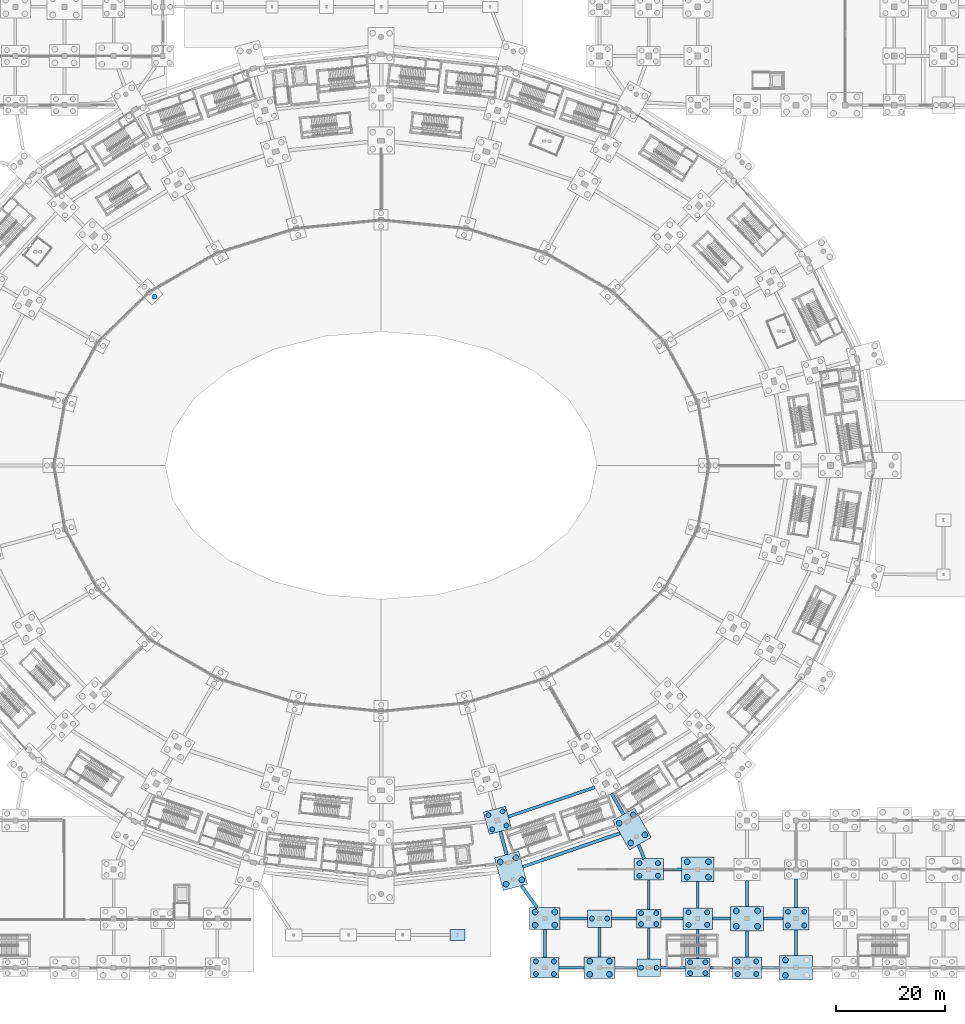
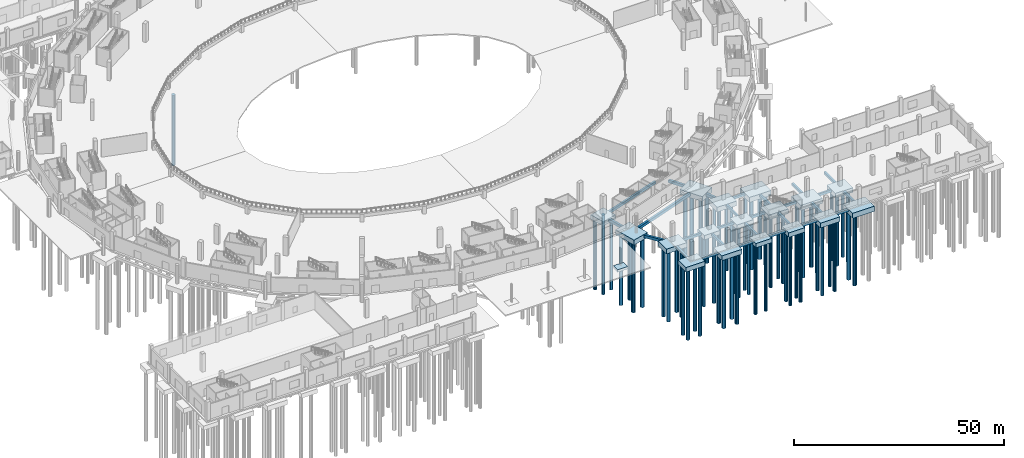
# One storey, part 5 of 103: 63 piles, 45 footings.
"""IFC4 building model written with IfcOpenShell, lengths in metres."""

from ifc_helpers import new_model, si_unit, direction, frame, origin, origin_2d, place, context, subcontext, project, spatial, rectangle, circle, extrude, material, material_profile, profile_set, type_object, element, save


model = new_model("IFC4")

# Units and contexts
model_context = context("Model", 3, precision=1e-05, world=origin(), true_north=direction((0.0, 1.0)))
body_context = subcontext(model_context, "Body", "Model", "MODEL_VIEW")
ifc_project = project(units=[si_unit("LENGTHUNIT", "METRE"), si_unit("AREAUNIT", "SQUARE_METRE"), si_unit("VOLUMEUNIT", "CUBIC_METRE"), si_unit("PLANEANGLEUNIT", "RADIAN"), si_unit("MASSUNIT", "GRAM", prefix="KILO")], contexts=[model_context])

# Site, building, storey
site_placement = place(None, origin())
site = spatial("IfcSite", under=ifc_project, at=site_placement, CompositionType="ELEMENT")
building_placement = place(site_placement, origin())
building = spatial("IfcBuilding", under=site, at=building_placement, Name="Zevraka Park Crest Stadium", CompositionType="ELEMENT")
storey_placement = place(building_placement, origin())
storey = spatial("IfcBuildingStorey", under=building, at=storey_placement, Name="L00", CompositionType="ELEMENT", Elevation=0.0)

# Footings
ifc_material_1 = material(Name="Concrete C35/45", Category="concrete")
ifc_material_profile_1 = material_profile(ifc_material_1, rectangle(XDim=0.60009765625, YDim=0.800048828125, at=origin_2d()), Name="GB 800x600")
ifc_profile_set_1 = profile_set([ifc_material_profile_1], Name="Concrete C35/45")
footing_type_1 = type_object("IfcFootingType", Name="GB01", PredefinedType="FOOTING_BEAM", material=ifc_profile_set_1)
footing_1_placement = place(storey_placement, frame((133.844970703125, 24.965087890625, -0.75), z_axis=(0.258791543435, -0.965933194919, 0.0), x_axis=(0.965933194919, 0.258791543435, 0.0)))
element("IfcFooting", 1, at=footing_1_placement, inside=storey, type_object=footing_type_1, Name="Ground Tie Beam GB01 RAD-CDE-19", PredefinedType="FOOTING_BEAM", context=body_context, shape_type="SweptSolid", body=[
    extrude(rectangle(XDim=0.60009765625, YDim=0.800048828125, at=origin_2d()), origin(), (0.0, 0.0, 1.0), 4.40087890625),
])
footing_2_placement = place(storey_placement, frame((137.965087890625, 18.47509765625, -0.75), z_axis=(0.944853282542, 0.327493930431, 0.0), x_axis=(-0.327493930431, 0.944853282542, 0.0)))
element("IfcFooting", 2, at=footing_2_placement, inside=storey, type_object=footing_type_1, Name="Ground Tie Beam GB01 CIR-DE-19", PredefinedType="FOOTING_BEAM", context=body_context, shape_type="SweptSolid", body=[
    extrude(rectangle(XDim=0.60009765625, YDim=0.800048828125, at=origin_2d()), origin(), (0.0, 0.0, 1.0), 18.809326171875),
])
footing_3_placement = place(storey_placement, frame((154.199951171875, 31.89697265625, -0.75), z_axis=(0.500036278648, -0.866004457284, 0.0), x_axis=(0.866004457284, 0.500036278648, 0.0)))
element("IfcFooting", 3, at=footing_3_placement, inside=storey, type_object=footing_type_1, Name="Ground Tie Beam GB01 RAD-CDE-20", PredefinedType="FOOTING_BEAM", context=body_context, shape_type="SweptSolid", body=[
    extrude(rectangle(XDim=0.60009765625, YDim=0.800048828125, at=origin_2d()), origin(), (0.0, 0.0, 1.0), 4.399658203125),
])
footing_4_placement = place(storey_placement, frame((140.574951171875, 11.0, -0.75), z_axis=(-0.580429579859, 0.814310446221, 0.0), x_axis=(-0.814310446221, -0.580429579859, 0.0)))
element("IfcFooting", 4, at=footing_4_placement, inside=storey, type_object=footing_type_1, Name="Ground Tie Beam GB01 WTIE-16-B", PredefinedType="FOOTING_BEAM", context=body_context, shape_type="SweptSolid", body=[
    extrude(rectangle(XDim=0.60009765625, YDim=0.800048828125, at=origin_2d()), origin(), (0.0, 0.0, 1.0), 4.942626953125),
])
footing_5_placement = place(storey_placement, frame((160.18603515625, 19.97509765625, -0.75), z_axis=(-0.380799074774, 0.92465780949, 0.0), x_axis=(-0.92465780949, -0.380799074774, 0.0)))
element("IfcFooting", 5, at=footing_5_placement, inside=storey, type_object=footing_type_1, Name="Ground Tie Beam GB01 WTIE-18-C", PredefinedType="FOOTING_BEAM", context=body_context, shape_type="SweptSolid", body=[
    extrude(rectangle(XDim=0.60009765625, YDim=0.800048828125, at=origin_2d()), origin(), (0.0, 0.0, 1.0), 2.741455078125),
])
ifc_material_2 = material(Name="Concrete C35/45", Category="concrete")
ifc_material_profile_2 = material_profile(ifc_material_2, rectangle(XDim=0.5, YDim=0.699951171875, at=origin_2d()), Name="GB 700x500")
ifc_profile_set_2 = profile_set([ifc_material_profile_2], Name="Concrete C35/45")
footing_type_2 = type_object("IfcFootingType", Name="GB02", PredefinedType="FOOTING_BEAM", material=ifc_profile_set_2)
footing_6_placement = place(storey_placement, frame((144.60009765625, 0.0, -0.699951171875), z_axis=(1.0, 0.0, 0.0), x_axis=(0.0, 1.0, 0.0)))
element("IfcFooting", 6, at=footing_6_placement, inside=storey, type_object=footing_type_2, Name="Ground Tie Beam GB02 WX-16-A", PredefinedType="FOOTING_BEAM", context=body_context, shape_type="SweptSolid", body=[
    extrude(rectangle(XDim=0.5, YDim=0.699951171875, at=origin_2d()), origin(), (0.0, 0.0, 1.0), 4.599853515625),
])
footing_7_placement = place(storey_placement, frame((142.0, 1.89990234375, -0.699951171875), z_axis=(0.0, 1.0, 0.0), x_axis=(-1.0, 0.0, 0.0)))
element("IfcFooting", 7, at=footing_7_placement, inside=storey, type_object=footing_type_2, Name="Ground Tie Beam GB02 WY-16-A", PredefinedType="FOOTING_BEAM", context=body_context, shape_type="SweptSolid", body=[
    extrude(rectangle(XDim=0.5, YDim=0.699951171875, at=origin_2d()), origin(), (0.0, 0.0, 1.0), 5.10009765625),
])
footing_8_placement = place(storey_placement, frame((144.800048828125, 9.0, -0.699951171875), z_axis=(1.0, 0.0, 0.0), x_axis=(0.0, 1.0, 0.0)))
element("IfcFooting", 8, at=footing_8_placement, inside=storey, type_object=footing_type_2, Name="Ground Tie Beam GB02 WX-16-B", PredefinedType="FOOTING_BEAM", context=body_context, shape_type="SweptSolid", body=[
    extrude(rectangle(XDim=0.5, YDim=0.699951171875, at=origin_2d()), origin(), (0.0, 0.0, 1.0), 5.02490234375),
])
footing_9_placement = place(storey_placement, frame((154.800048828125, 0.0, -0.699951171875), z_axis=(1.0, 0.0, 0.0), x_axis=(0.0, 1.0, 0.0)))
element("IfcFooting", 9, at=footing_9_placement, inside=storey, type_object=footing_type_2, Name="Ground Tie Beam GB02 WX-17-A", PredefinedType="FOOTING_BEAM", context=body_context, shape_type="SweptSolid", body=[
    extrude(rectangle(XDim=0.5, YDim=0.699951171875, at=origin_2d()), origin(), (0.0, 0.0, 1.0), 4.02490234375),
])
footing_10_placement = place(storey_placement, frame((152.0, 2.0, -0.699951171875), z_axis=(0.0, 1.0, 0.0), x_axis=(-1.0, 0.0, 0.0)))
element("IfcFooting", 10, at=footing_10_placement, inside=storey, type_object=footing_type_2, Name="Ground Tie Beam GB02 WY-17-A", PredefinedType="FOOTING_BEAM", context=body_context, shape_type="SweptSolid", body=[
    extrude(rectangle(XDim=0.5, YDim=0.699951171875, at=origin_2d()), origin(), (0.0, 0.0, 1.0), 5.39990234375),
])
for number, where, z_axis, x_axis, name in (
    (11, (154.175048828125, 9.0, -0.699951171875), (1.0, 0.0, 0.0), (0.0, 1.0, 0.0), "Ground Tie Beam GB02 WX-17-B"),
    (12, (163.175048828125, 0.0, -0.699951171875), (1.0, 0.0, 0.0), (0.0, 1.0, 0.0), "Ground Tie Beam GB02 WX-18-A"),
):
    element("IfcFooting", number, at=place(storey_placement, frame(where, z_axis=z_axis, x_axis=x_axis)), inside=storey, type_object=footing_type_2, Name=name, PredefinedType="FOOTING_BEAM", context=body_context, shape_type="SweptSolid", body=[
        extrude(rectangle(XDim=0.5, YDim=0.699951171875, at=origin_2d()), origin(), (0.0, 0.0, 1.0), 4.574951171875),
    ])
footing_11_placement = place(storey_placement, frame((161.0, 1.60009765625, -0.699951171875), z_axis=(0.0, 1.0, 0.0), x_axis=(-1.0, 0.0, 0.0)))
element("IfcFooting", 13, at=footing_11_placement, inside=storey, type_object=footing_type_2, Name="Ground Tie Beam GB02 WY-18-A", PredefinedType="FOOTING_BEAM", context=body_context, shape_type="SweptSolid", body=[
    extrude(rectangle(XDim=0.5, YDim=0.699951171875, at=origin_2d()), origin(), (0.0, 0.0, 1.0), 5.699951171875),
])
footing_12_placement = place(storey_placement, frame((163.25, 9.0, -0.699951171875), z_axis=(1.0, 0.0, 0.0), x_axis=(0.0, 1.0, 0.0)))
element("IfcFooting", 14, at=footing_12_placement, inside=storey, type_object=footing_type_2, Name="Ground Tie Beam GB02 WX-18-B", PredefinedType="FOOTING_BEAM", context=body_context, shape_type="SweptSolid", body=[
    extrude(rectangle(XDim=0.5, YDim=0.699951171875, at=origin_2d()), origin(), (0.0, 0.0, 1.0), 4.074951171875),
])
footing_13_placement = place(storey_placement, frame((161.0, 10.699951171875, -0.699951171875), z_axis=(0.0, 1.0, 0.0), x_axis=(-1.0, 0.0, 0.0)))
element("IfcFooting", 15, at=footing_13_placement, inside=storey, type_object=footing_type_2, Name="Ground Tie Beam GB02 WY-18-B", PredefinedType="FOOTING_BEAM", context=body_context, shape_type="SweptSolid", body=[
    extrude(rectangle(XDim=0.5, YDim=0.699951171875, at=origin_2d()), origin(), (0.0, 0.0, 1.0), 5.324951171875),
])
footing_14_placement = place(storey_placement, frame((163.675048828125, 18.0, -0.699951171875), z_axis=(1.0, 0.0, 0.0), x_axis=(0.0, 1.0, 0.0)))
element("IfcFooting", 16, at=footing_14_placement, inside=storey, type_object=footing_type_2, Name="Ground Tie Beam GB02 WX-18-C", PredefinedType="FOOTING_BEAM", context=body_context, shape_type="SweptSolid", body=[
    extrude(rectangle(XDim=0.5, YDim=0.699951171875, at=origin_2d()), origin(), (0.0, 0.0, 1.0), 3.324951171875),
])
footing_15_placement = place(storey_placement, frame((172.25, 0.0, -0.699951171875), z_axis=(1.0, 0.0, 0.0), x_axis=(0.0, 1.0, 0.0)))
element("IfcFooting", 17, at=footing_15_placement, inside=storey, type_object=footing_type_2, Name="Ground Tie Beam GB02 WX-19-A", PredefinedType="FOOTING_BEAM", context=body_context, shape_type="SweptSolid", body=[
    extrude(rectangle(XDim=0.5, YDim=0.699951171875, at=origin_2d()), origin(), (0.0, 0.0, 1.0), 4.074951171875),
])
footing_16_placement = place(storey_placement, frame((170.0, 1.699951171875, -0.699951171875), z_axis=(0.0, 1.0, 0.0), x_axis=(-1.0, 0.0, 0.0)))
element("IfcFooting", 18, at=footing_16_placement, inside=storey, type_object=footing_type_2, Name="Ground Tie Beam GB02 WY-19-A", PredefinedType="FOOTING_BEAM", context=body_context, shape_type="SweptSolid", body=[
    extrude(rectangle(XDim=0.5, YDim=0.699951171875, at=origin_2d()), origin(), (0.0, 0.0, 1.0), 5.324951171875),
])
footing_17_placement = place(storey_placement, frame((172.675048828125, 9.0, -0.699951171875), z_axis=(1.0, 0.0, 0.0), x_axis=(0.0, 1.0, 0.0)))
element("IfcFooting", 19, at=footing_17_placement, inside=storey, type_object=footing_type_2, Name="Ground Tie Beam GB02 WX-19-B", PredefinedType="FOOTING_BEAM", context=body_context, shape_type="SweptSolid", body=[
    extrude(rectangle(XDim=0.5, YDim=0.699951171875, at=origin_2d()), origin(), (0.0, 0.0, 1.0), 3.324951171875),
])
footing_18_placement = place(storey_placement, frame((170.0, 10.97509765625, -0.699951171875), z_axis=(0.0, 1.0, 0.0), x_axis=(-1.0, 0.0, 0.0)))
element("IfcFooting", 20, at=footing_18_placement, inside=storey, type_object=footing_type_2, Name="Ground Tie Beam GB02 WY-19-B", PredefinedType="FOOTING_BEAM", context=body_context, shape_type="SweptSolid", body=[
    extrude(rectangle(XDim=0.5, YDim=0.699951171875, at=origin_2d()), origin(), (0.0, 0.0, 1.0), 4.77490234375),
])
footing_19_placement = place(storey_placement, frame((181.675048828125, 0.0, -0.699951171875), z_axis=(1.0, 0.0, 0.0), x_axis=(0.0, 1.0, 0.0)))
element("IfcFooting", 21, at=footing_19_placement, inside=storey, type_object=footing_type_2, Name="Ground Tie Beam GB02 WX-20-A", PredefinedType="FOOTING_BEAM", context=body_context, shape_type="SweptSolid", body=[
    extrude(rectangle(XDim=0.5, YDim=0.699951171875, at=origin_2d()), origin(), (0.0, 0.0, 1.0), 3.324951171875),
])
footing_20_placement = place(storey_placement, frame((179.0, 1.97509765625, -0.699951171875), z_axis=(0.0, 1.0, 0.0), x_axis=(-1.0, 0.0, 0.0)))
element("IfcFooting", 22, at=footing_20_placement, inside=storey, type_object=footing_type_2, Name="Ground Tie Beam GB02 WY-20-A", PredefinedType="FOOTING_BEAM", context=body_context, shape_type="SweptSolid", body=[
    extrude(rectangle(XDim=0.5, YDim=0.699951171875, at=origin_2d()), origin(), (0.0, 0.0, 1.0), 4.77490234375),
])
footing_21_placement = place(storey_placement, frame((182.0, 9.0, -0.699951171875), z_axis=(1.0, 0.0, 0.0), x_axis=(0.0, 1.0, 0.0)))
element("IfcFooting", 23, at=footing_21_placement, inside=storey, type_object=footing_type_2, Name="Ground Tie Beam GB02 WX-20-B", PredefinedType="FOOTING_BEAM", context=body_context, shape_type="SweptSolid", body=[
    extrude(rectangle(XDim=0.5, YDim=0.699951171875, at=origin_2d()), origin(), (0.0, 0.0, 1.0), 3.60009765625),
])
for number, where, z_axis, x_axis, name in (
    (24, (179.0, 11.25, -0.699951171875), (0.0, 1.0, 0.0), (-1.0, 0.0, 0.0), "Ground Tie Beam GB02 WY-20-B"),
    (25, (188.0, 2.25, -0.699951171875), (0.0, 1.0, 0.0), (-1.0, 0.0, 0.0), "Ground Tie Beam GB02 WY-21-A"),
):
    element("IfcFooting", number, at=place(storey_placement, frame(where, z_axis=z_axis, x_axis=x_axis)), inside=storey, type_object=footing_type_2, Name=name, PredefinedType="FOOTING_BEAM", context=body_context, shape_type="SweptSolid", body=[
        extrude(rectangle(XDim=0.5, YDim=0.699951171875, at=origin_2d()), origin(), (0.0, 0.0, 1.0), 4.699951171875),
    ])
footing_22_placement = place(storey_placement, frame((188.0, 11.050048828125, -0.699951171875), z_axis=(0.0, 1.0, 0.0), x_axis=(-1.0, 0.0, 0.0)))
element("IfcFooting", 26, at=footing_22_placement, inside=storey, type_object=footing_type_2, Name="Ground Tie Beam GB02 WY-21-B", PredefinedType="FOOTING_BEAM", context=body_context, shape_type="SweptSolid", body=[
    extrude(rectangle(XDim=0.5, YDim=0.699951171875, at=origin_2d()), origin(), (0.0, 0.0, 1.0), 5.175048828125),
])
ifc_material_3 = material(Name="Concrete C35/45", Category="concrete")
ifc_material_profile_3 = material_profile(ifc_material_3, rectangle(XDim=0.550048828125, YDim=0.75, at=origin_2d()), Name="GB 750x550")
ifc_profile_set_3 = profile_set([ifc_material_profile_3], Name="Concrete C35/45")
footing_type_3 = type_object("IfcFootingType", Name="GB04", PredefinedType="FOOTING_BEAM", material=ifc_profile_set_3)
footing_23_placement = place(storey_placement, frame((135.2939453125, 27.66796875, -0.72509765625), z_axis=(0.947145577983, 0.32080407433, 0.0), x_axis=(-0.32080407433, 0.947145577983, 0.0)))
element("IfcFooting", 27, at=footing_23_placement, inside=storey, type_object=footing_type_3, Name="Ground Tie Beam GB04 CIR-C-19", PredefinedType="FOOTING_BEAM", context=body_context, shape_type="SweptSolid", body=[
    extrude(rectangle(XDim=0.550048828125, YDim=0.75, at=origin_2d()), origin(), (0.0, 0.0, 1.0), 16.71142578125),
])
ifc_material_4 = material(Name="Concrete C35/45", Category="concrete")
footing_type_4 = type_object("IfcFootingType", Name="PC05", PredefinedType="PILE_CAP", material=ifc_material_4)
footing_24_placement = place(storey_placement, frame((133.301025390625, 26.992919921875, -1.64990234375), z_axis=(0.0, 0.0, 1.0), x_axis=(-0.258819045103, 0.965925826289, 0.0)))
element("IfcFooting", 28, at=footing_24_placement, inside=storey, type_object=footing_type_4, Name="Foundation PC05 C-19", PredefinedType="PILE_CAP", context=body_context, shape_type="SweptSolid", body=[
    extrude(rectangle(XDim=4.199951171875, YDim=4.199951171875, at=origin_2d()), origin(), (0.0, 0.0, 1.0), 1.300048828125),
])
ifc_material_5 = material(Name="Concrete C35/45", Category="concrete")
footing_type_5 = type_object("IfcFootingType", Name="PC07", PredefinedType="PILE_CAP", material=ifc_material_5)
for number, where, z_axis, x_axis, name in (
    (29, (135.785888671875, 17.719970703125, -1.7998046875), (0.0, 0.0, 1.0), (-0.258819045103, 0.965925826289, 0.0), "Foundation PC07 DE-19"),
    (30, (157.949951171875, 25.402099609375, -1.7998046875), (0.0, 0.0, 1.0), (-0.5, 0.866025403784, 0.0), "Foundation PC07 DE-20"),
):
    element("IfcFooting", number, at=place(storey_placement, frame(where, z_axis=z_axis, x_axis=x_axis)), inside=storey, type_object=footing_type_5, Name=name, PredefinedType="PILE_CAP", context=body_context, shape_type="SweptSolid", body=[
        extrude(rectangle(XDim=6.199951171875, YDim=4.60009765625, at=origin_2d()), origin(), (0.0, 0.0, 1.0), 1.449951171875),
    ])
ifc_material_6 = material(Name="Concrete C35/45", Category="concrete")
footing_type_6 = type_object("IfcFootingType", Name="PC11", PredefinedType="PILE_CAP", material=ifc_material_6)
footing_25_placement = place(storey_placement, frame((142.0, 0.0, -1.699951171875), z_axis=(0.0, 0.0, 1.0), x_axis=(1.0, 0.0, 0.0)))
element("IfcFooting", 31, at=footing_25_placement, inside=storey, type_object=footing_type_6, Name="Foundation PC11 W-16-A", PredefinedType="PILE_CAP", context=body_context, shape_type="SweptSolid", body=[
    extrude(rectangle(XDim=5.199951171875, YDim=3.800048828125, at=origin_2d()), origin(), (0.0, 0.0, 1.0), 1.35009765625),
])
ifc_material_7 = material(Name="Concrete C35/45", Category="concrete")
footing_type_7 = type_object("IfcFootingType", Name="PC12", PredefinedType="PILE_CAP", material=ifc_material_7)
for number, where, z_axis, x_axis, name in (
    (32, (142.0, 9.0, -1.75), (0.0, 0.0, 1.0), (1.0, 0.0, 0.0), "Foundation PC12 W-16-B"),
    (33, (152.0, 0.0, -1.75), (0.0, 0.0, 1.0), (1.0, 0.0, 0.0), "Foundation PC12 W-17-A"),
):
    element("IfcFooting", number, at=place(storey_placement, frame(where, z_axis=z_axis, x_axis=x_axis)), inside=storey, type_object=footing_type_7, Name=name, PredefinedType="PILE_CAP", context=body_context, shape_type="SweptSolid", body=[
        extrude(rectangle(XDim=5.60009765625, YDim=4.0, at=origin_2d()), origin(), (0.0, 0.0, 1.0), 1.39990234375),
    ])
ifc_material_8 = material(Name="Concrete C35/45", Category="concrete")
footing_type_8 = type_object("IfcFootingType", Name="PC16", PredefinedType="PILE_CAP", material=ifc_material_8)
for number, where, z_axis, x_axis, name in (
    (34, (152.0, 9.0, -1.60009765625), (0.0, 0.0, 1.0), (1.0, 0.0, 0.0), "Foundation PC16 W-17-B"),
    (35, (161.0, 0.0, -1.60009765625), (0.0, 0.0, 1.0), (1.0, 0.0, 0.0), "Foundation PC16 W-18-A"),
):
    element("IfcFooting", number, at=place(storey_placement, frame(where, z_axis=z_axis, x_axis=x_axis)), inside=storey, type_object=footing_type_8, Name=name, PredefinedType="PILE_CAP", context=body_context, shape_type="SweptSolid", body=[
        extrude(rectangle(XDim=4.35009765625, YDim=3.199951171875, at=origin_2d()), origin(), (0.0, 0.0, 1.0), 1.25),
    ])
ifc_material_9 = material(Name="Concrete C35/45", Category="concrete")
footing_type_9 = type_object("IfcFootingType", Name="PC17", PredefinedType="PILE_CAP", material=ifc_material_9)
for number, where, z_axis, x_axis, name in (
    (36, (161.0, 9.0, -1.64990234375), (0.0, 0.0, 1.0), (1.0, 0.0, 0.0), "Foundation PC17 W-18-B"),
    (37, (170.0, 0.0, -1.64990234375), (0.0, 0.0, 1.0), (1.0, 0.0, 0.0), "Foundation PC17 W-19-A"),
):
    element("IfcFooting", number, at=place(storey_placement, frame(where, z_axis=z_axis, x_axis=x_axis)), inside=storey, type_object=footing_type_9, Name=name, PredefinedType="PILE_CAP", context=body_context, shape_type="SweptSolid", body=[
        extrude(rectangle(XDim=4.5, YDim=3.39990234375, at=origin_2d()), origin(), (0.0, 0.0, 1.0), 1.300048828125),
    ])
ifc_material_10 = material(Name="Concrete C35/45", Category="concrete")
footing_type_10 = type_object("IfcFootingType", Name="PC18", PredefinedType="PILE_CAP", material=ifc_material_10)
for number, where, z_axis, x_axis, name in (
    (38, (161.0, 18.0, -1.72998046875), (0.0, 0.0, 1.0), (1.0, 0.0, 0.0), "Foundation PC18 W-18-C"),
    (39, (170.0, 9.0, -1.72998046875), (0.0, 0.0, 1.0), (1.0, 0.0, 0.0), "Foundation PC18 W-19-B"),
    (40, (179.0, 0.0, -1.72998046875), (0.0, 0.0, 1.0), (1.0, 0.0, 0.0), "Foundation PC18 W-20-A"),
):
    element("IfcFooting", number, at=place(storey_placement, frame(where, z_axis=z_axis, x_axis=x_axis)), inside=storey, type_object=footing_type_10, Name=name, PredefinedType="PILE_CAP", context=body_context, shape_type="SweptSolid", body=[
        extrude(rectangle(XDim=5.35009765625, YDim=3.949951171875, at=origin_2d()), origin(), (0.0, 0.0, 1.0), 1.3798828125),
    ])
ifc_material_11 = material(Name="Concrete C35/45", Category="concrete")
footing_type_11 = type_object("IfcFootingType", Name="PC19", PredefinedType="PILE_CAP", material=ifc_material_11)
for number, where, z_axis, x_axis, name in (
    (41, (170.0, 18.0, -1.830078125), (0.0, 0.0, 1.0), (1.0, 0.0, 0.0), "Foundation PC19 W-19-C"),
    (42, (179.0, 9.0, -1.830078125), (0.0, 0.0, 1.0), (1.0, 0.0, 0.0), "Foundation PC19 W-20-B"),
    (43, (188.0, 0.0, -1.830078125), (0.0, 0.0, 1.0), (1.0, 0.0, 0.0), "Foundation PC19 W-21-A"),
):
    element("IfcFooting", number, at=place(storey_placement, frame(where, z_axis=z_axis, x_axis=x_axis)), inside=storey, type_object=footing_type_11, Name=name, PredefinedType="PILE_CAP", context=body_context, shape_type="SweptSolid", body=[
        extrude(rectangle(XDim=6.0, YDim=4.5, at=origin_2d()), origin(), (0.0, 0.0, 1.0), 1.47998046875),
    ])
ifc_material_12 = material(Name="Concrete C35/45", Category="concrete")
footing_type_12 = type_object("IfcFootingType", Name="PC20", PredefinedType="PILE_CAP", material=ifc_material_12)
footing_26_placement = place(storey_placement, frame((188.0, 9.0, -1.699951171875), z_axis=(0.0, 0.0, 1.0), x_axis=(1.0, 0.0, 0.0)))
element("IfcFooting", 44, at=footing_26_placement, inside=storey, type_object=footing_type_12, Name="Foundation PC20 W-21-B", PredefinedType="PILE_CAP", context=body_context, shape_type="SweptSolid", body=[
    extrude(rectangle(XDim=4.800048828125, YDim=4.10009765625, at=origin_2d()), origin(), (0.0, 0.0, 1.0), 1.35009765625),
])
ifc_material_13 = material(Name="Concrete C35/45", Category="concrete")
footing_type_13 = type_object("IfcFootingType", Name="PF03", PredefinedType="PAD_FOOTING", material=ifc_material_13)
footing_27_placement = place(storey_placement, frame((126.0, 6.0, -0.75), z_axis=(0.0, 0.0, 1.0), x_axis=(1.0, 0.0, 0.0)))
element("IfcFooting", 45, at=footing_27_placement, inside=storey, type_object=footing_type_13, Name="Foundation PF03 PAD-S4", PredefinedType="PAD_FOOTING", context=body_context, shape_type="SweptSolid", body=[
    extrude(rectangle(XDim=2.800048828125, YDim=2.0, at=origin_2d()), origin(), (0.0, 0.0, 1.0), 0.75),
])

# Piles
ifc_material_14 = material(Name="Concrete C35/45", Category="concrete")
ifc_material_profile_4 = material_profile(ifc_material_14, circle(Radius=0.449951171875, at=origin_2d()), Name="PILE D900")
ifc_profile_set_4 = profile_set([ifc_material_profile_4], Name="Concrete C35/45")
pile_type_1 = type_object("IfcPileType", Name="PL01", PredefinedType="BORED", material=ifc_profile_set_4)
pile_placement = place(storey_placement, frame((70.492919921875, 122.90087890625, -1.5), z_axis=(0.0, 0.0, -1.0), x_axis=(1.0, 0.0, 0.0)))
element("IfcPile", 46, at=pile_placement, inside=storey, type_object=pile_type_1, Name="Bored Pile PL01 A-09-1", PredefinedType="BORED", context=body_context, shape_type="SweptSolid", body=[
    extrude(circle(Radius=0.449951171875, at=origin_2d()), origin(), (0.0, 0.0, 1.0), 20.5),
])
for number, where, z_axis, x_axis, name in (
    (47, (134.9541015625, 26.0380859375, -1.550048828125), (0.0, 0.0, -1.0), (1.0, 0.0, 0.0), "Bored Pile PL01 C-19-1"),
    (48, (134.256103515625, 28.64599609375, -1.550048828125), (0.0, 0.0, -1.0), (1.0, 0.0, 0.0), "Bored Pile PL01 C-19-2"),
    (49, (132.345947265625, 25.340087890625, -1.550048828125), (0.0, 0.0, -1.0), (1.0, 0.0, 0.0), "Bored Pile PL01 C-19-3"),
    (50, (131.64794921875, 27.947998046875, -1.550048828125), (0.0, 0.0, -1.0), (1.0, 0.0, 0.0), "Bored Pile PL01 C-19-4"),
):
    element("IfcPile", number, at=place(storey_placement, frame(where, z_axis=z_axis, x_axis=x_axis)), inside=storey, type_object=pile_type_1, Name=name, PredefinedType="BORED", context=body_context, shape_type="SweptSolid", body=[
        extrude(circle(Radius=0.449951171875, at=origin_2d()), origin(), (0.0, 0.0, 1.0), 20.449951171875),
    ])
for number, where, z_axis, x_axis, name in (
    (51, (140.35009765625, -1.14990234375, -1.60009765625), (0.0, 0.0, -1.0), (1.0, 0.0, 0.0), "Bored Pile PL01 W-16-A-1"),
    (52, (143.64990234375, -1.14990234375, -1.60009765625), (0.0, 0.0, -1.0), (1.0, 0.0, 0.0), "Bored Pile PL01 W-16-A-2"),
    (53, (140.35009765625, 1.14990234375, -1.60009765625), (0.0, 0.0, -1.0), (1.0, 0.0, 0.0), "Bored Pile PL01 W-16-A-3"),
    (54, (143.64990234375, 1.14990234375, -1.60009765625), (0.0, 0.0, -1.0), (1.0, 0.0, 0.0), "Bored Pile PL01 W-16-A-4"),
):
    element("IfcPile", number, at=place(storey_placement, frame(where, z_axis=z_axis, x_axis=x_axis)), inside=storey, type_object=pile_type_1, Name=name, PredefinedType="BORED", context=body_context, shape_type="SweptSolid", body=[
        extrude(circle(Radius=0.449951171875, at=origin_2d()), origin(), (0.0, 0.0, 1.0), 20.39990234375),
    ])
for number, where, z_axis, x_axis, name in (
    (55, (150.60009765625, 9.0, -1.5), (0.0, 0.0, -1.0), (1.0, 0.0, 0.0), "Bored Pile PL01 W-17-B-1"),
    (56, (153.39990234375, 9.0, -1.5), (0.0, 0.0, -1.0), (1.0, 0.0, 0.0), "Bored Pile PL01 W-17-B-2"),
    (57, (159.60009765625, 0.0, -1.5), (0.0, 0.0, -1.0), (1.0, 0.0, 0.0), "Bored Pile PL01 W-18-A-1"),
    (58, (162.39990234375, 0.0, -1.5), (0.0, 0.0, -1.0), (1.0, 0.0, 0.0), "Bored Pile PL01 W-18-A-2"),
):
    element("IfcPile", number, at=place(storey_placement, frame(where, z_axis=z_axis, x_axis=x_axis)), inside=storey, type_object=pile_type_1, Name=name, PredefinedType="BORED", context=body_context, shape_type="SweptSolid", body=[
        extrude(circle(Radius=0.449951171875, at=origin_2d()), origin(), (0.0, 0.0, 1.0), 20.5),
    ])
for number, where, z_axis, x_axis, name in (
    (59, (159.60009765625, 8.0, -1.550048828125), (0.0, 0.0, -1.0), (1.0, 0.0, 0.0), "Bored Pile PL01 W-18-B-1"),
    (60, (162.39990234375, 8.0, -1.550048828125), (0.0, 0.0, -1.0), (1.0, 0.0, 0.0), "Bored Pile PL01 W-18-B-2"),
    (61, (159.60009765625, 10.0, -1.550048828125), (0.0, 0.0, -1.0), (1.0, 0.0, 0.0), "Bored Pile PL01 W-18-B-3"),
    (62, (162.39990234375, 10.0, -1.550048828125), (0.0, 0.0, -1.0), (1.0, 0.0, 0.0), "Bored Pile PL01 W-18-B-4"),
):
    element("IfcPile", number, at=place(storey_placement, frame(where, z_axis=z_axis, x_axis=x_axis)), inside=storey, type_object=pile_type_1, Name=name, PredefinedType="BORED", context=body_context, shape_type="SweptSolid", body=[
        extrude(circle(Radius=0.449951171875, at=origin_2d()), origin(), (0.0, 0.0, 1.0), 20.449951171875),
    ])
for number, where, z_axis, x_axis, name in (
    (63, (159.300048828125, 16.85009765625, -1.6298828125), (0.0, 0.0, -1.0), (1.0, 0.0, 0.0), "Bored Pile PL01 W-18-C-1"),
    (64, (162.699951171875, 16.85009765625, -1.6298828125), (0.0, 0.0, -1.0), (1.0, 0.0, 0.0), "Bored Pile PL01 W-18-C-2"),
    (65, (159.300048828125, 19.14990234375, -1.6298828125), (0.0, 0.0, -1.0), (1.0, 0.0, 0.0), "Bored Pile PL01 W-18-C-3"),
    (66, (162.699951171875, 19.14990234375, -1.6298828125), (0.0, 0.0, -1.0), (1.0, 0.0, 0.0), "Bored Pile PL01 W-18-C-4"),
):
    element("IfcPile", number, at=place(storey_placement, frame(where, z_axis=z_axis, x_axis=x_axis)), inside=storey, type_object=pile_type_1, Name=name, PredefinedType="BORED", context=body_context, shape_type="SweptSolid", body=[
        extrude(circle(Radius=0.449951171875, at=origin_2d()), origin(), (0.0, 0.0, 1.0), 20.3701171875),
    ])
for number, where, z_axis, x_axis, name in (
    (67, (168.60009765625, -1.0, -1.550048828125), (0.0, 0.0, -1.0), (1.0, 0.0, 0.0), "Bored Pile PL01 W-19-A-1"),
    (68, (171.39990234375, -1.0, -1.550048828125), (0.0, 0.0, -1.0), (1.0, 0.0, 0.0), "Bored Pile PL01 W-19-A-2"),
    (69, (168.60009765625, 1.0, -1.550048828125), (0.0, 0.0, -1.0), (1.0, 0.0, 0.0), "Bored Pile PL01 W-19-A-3"),
    (70, (171.39990234375, 1.0, -1.550048828125), (0.0, 0.0, -1.0), (1.0, 0.0, 0.0), "Bored Pile PL01 W-19-A-4"),
):
    element("IfcPile", number, at=place(storey_placement, frame(where, z_axis=z_axis, x_axis=x_axis)), inside=storey, type_object=pile_type_1, Name=name, PredefinedType="BORED", context=body_context, shape_type="SweptSolid", body=[
        extrude(circle(Radius=0.449951171875, at=origin_2d()), origin(), (0.0, 0.0, 1.0), 20.449951171875),
    ])
for number, where, z_axis, x_axis, name in (
    (71, (168.300048828125, 7.85009765625, -1.6298828125), (0.0, 0.0, -1.0), (1.0, 0.0, 0.0), "Bored Pile PL01 W-19-B-1"),
    (72, (171.699951171875, 7.85009765625, -1.6298828125), (0.0, 0.0, -1.0), (1.0, 0.0, 0.0), "Bored Pile PL01 W-19-B-2"),
    (73, (168.300048828125, 10.14990234375, -1.6298828125), (0.0, 0.0, -1.0), (1.0, 0.0, 0.0), "Bored Pile PL01 W-19-B-3"),
    (74, (171.699951171875, 10.14990234375, -1.6298828125), (0.0, 0.0, -1.0), (1.0, 0.0, 0.0), "Bored Pile PL01 W-19-B-4"),
    (75, (177.300048828125, -1.14990234375, -1.6298828125), (0.0, 0.0, -1.0), (1.0, 0.0, 0.0), "Bored Pile PL01 W-20-A-1"),
    (76, (180.699951171875, -1.14990234375, -1.6298828125), (0.0, 0.0, -1.0), (1.0, 0.0, 0.0), "Bored Pile PL01 W-20-A-2"),
    (77, (177.300048828125, 1.14990234375, -1.6298828125), (0.0, 0.0, -1.0), (1.0, 0.0, 0.0), "Bored Pile PL01 W-20-A-3"),
    (78, (180.699951171875, 1.14990234375, -1.6298828125), (0.0, 0.0, -1.0), (1.0, 0.0, 0.0), "Bored Pile PL01 W-20-A-4"),
):
    element("IfcPile", number, at=place(storey_placement, frame(where, z_axis=z_axis, x_axis=x_axis)), inside=storey, type_object=pile_type_1, Name=name, PredefinedType="BORED", context=body_context, shape_type="SweptSolid", body=[
        extrude(circle(Radius=0.449951171875, at=origin_2d()), origin(), (0.0, 0.0, 1.0), 20.3701171875),
    ])
for number, where, z_axis, x_axis, name in (
    (79, (186.5, 7.75, -1.60009765625), (0.0, 0.0, -1.0), (1.0, 0.0, 0.0), "Bored Pile PL01 W-21-B-1"),
    (80, (189.5, 7.75, -1.60009765625), (0.0, 0.0, -1.0), (1.0, 0.0, 0.0), "Bored Pile PL01 W-21-B-2"),
    (81, (186.5, 10.25, -1.60009765625), (0.0, 0.0, -1.0), (1.0, 0.0, 0.0), "Bored Pile PL01 W-21-B-3"),
    (82, (189.5, 10.25, -1.60009765625), (0.0, 0.0, -1.0), (1.0, 0.0, 0.0), "Bored Pile PL01 W-21-B-4"),
):
    element("IfcPile", number, at=place(storey_placement, frame(where, z_axis=z_axis, x_axis=x_axis)), inside=storey, type_object=pile_type_1, Name=name, PredefinedType="BORED", context=body_context, shape_type="SweptSolid", body=[
        extrude(circle(Radius=0.449951171875, at=origin_2d()), origin(), (0.0, 0.0, 1.0), 20.39990234375),
    ])
ifc_material_15 = material(Name="Concrete C35/45", Category="concrete")
ifc_material_profile_5 = material_profile(ifc_material_15, circle(Radius=0.52490234375, at=origin_2d()), Name="PILE D1050")
ifc_profile_set_5 = profile_set([ifc_material_profile_5], Name="Concrete C35/45")
pile_type_2 = type_object("IfcPileType", Name="PL02", PredefinedType="BORED", material=ifc_profile_set_5)
for number, where, z_axis, x_axis, name in (
    (83, (137.778076171875, 16.080078125, -1.699951171875), (0.0, 0.0, -1.0), (1.0, 0.0, 0.0), "Bored Pile PL02 DE-19-1"),
    (84, (136.69091796875, 20.136962890625, -1.699951171875), (0.0, 0.0, -1.0), (1.0, 0.0, 0.0), "Bored Pile PL02 DE-19-2"),
    (85, (134.881103515625, 15.302978515625, -1.699951171875), (0.0, 0.0, -1.0), (1.0, 0.0, 0.0), "Bored Pile PL02 DE-19-3"),
    (86, (133.7939453125, 19.360107421875, -1.699951171875), (0.0, 0.0, -1.0), (1.0, 0.0, 0.0), "Bored Pile PL02 DE-19-4"),
    (87, (160.299072265625, 24.3330078125, -1.699951171875), (0.0, 0.0, -1.0), (1.0, 0.0, 0.0), "Bored Pile PL02 DE-20-1"),
    (88, (158.198974609375, 27.970947265625, -1.699951171875), (0.0, 0.0, -1.0), (1.0, 0.0, 0.0), "Bored Pile PL02 DE-20-2"),
    (89, (157.700927734375, 22.8330078125, -1.699951171875), (0.0, 0.0, -1.0), (1.0, 0.0, 0.0), "Bored Pile PL02 DE-20-3"),
    (90, (155.60107421875, 26.470947265625, -1.699951171875), (0.0, 0.0, -1.0), (1.0, 0.0, 0.0), "Bored Pile PL02 DE-20-4"),
):
    element("IfcPile", number, at=place(storey_placement, frame(where, z_axis=z_axis, x_axis=x_axis)), inside=storey, type_object=pile_type_2, Name=name, PredefinedType="BORED", context=body_context, shape_type="SweptSolid", body=[
        extrude(circle(Radius=0.52490234375, at=origin_2d()), origin(), (0.0, 0.0, 1.0), 20.300048828125),
    ])
for number, where, z_axis, x_axis, name in (
    (91, (140.199951171875, 7.800048828125, -1.64990234375), (0.0, 0.0, -1.0), (1.0, 0.0, 0.0), "Bored Pile PL02 W-16-B-1"),
    (92, (143.800048828125, 7.800048828125, -1.64990234375), (0.0, 0.0, -1.0), (1.0, 0.0, 0.0), "Bored Pile PL02 W-16-B-2"),
    (93, (140.199951171875, 10.199951171875, -1.64990234375), (0.0, 0.0, -1.0), (1.0, 0.0, 0.0), "Bored Pile PL02 W-16-B-3"),
    (94, (143.800048828125, 10.199951171875, -1.64990234375), (0.0, 0.0, -1.0), (1.0, 0.0, 0.0), "Bored Pile PL02 W-16-B-4"),
    (95, (150.199951171875, -1.199951171875, -1.64990234375), (0.0, 0.0, -1.0), (1.0, 0.0, 0.0), "Bored Pile PL02 W-17-A-1"),
    (96, (153.800048828125, -1.199951171875, -1.64990234375), (0.0, 0.0, -1.0), (1.0, 0.0, 0.0), "Bored Pile PL02 W-17-A-2"),
    (97, (150.199951171875, 1.199951171875, -1.64990234375), (0.0, 0.0, -1.0), (1.0, 0.0, 0.0), "Bored Pile PL02 W-17-A-3"),
    (98, (153.800048828125, 1.199951171875, -1.64990234375), (0.0, 0.0, -1.0), (1.0, 0.0, 0.0), "Bored Pile PL02 W-17-A-4"),
):
    element("IfcPile", number, at=place(storey_placement, frame(where, z_axis=z_axis, x_axis=x_axis)), inside=storey, type_object=pile_type_2, Name=name, PredefinedType="BORED", context=body_context, shape_type="SweptSolid", body=[
        extrude(circle(Radius=0.52490234375, at=origin_2d()), origin(), (0.0, 0.0, 1.0), 20.35009765625),
    ])
for number, where, z_axis, x_axis, name in (
    (99, (168.050048828125, 16.60009765625, -1.72998046875), (0.0, 0.0, -1.0), (1.0, 0.0, 0.0), "Bored Pile PL02 W-19-C-1"),
    (100, (171.949951171875, 16.60009765625, -1.72998046875), (0.0, 0.0, -1.0), (1.0, 0.0, 0.0), "Bored Pile PL02 W-19-C-2"),
    (101, (168.050048828125, 19.39990234375, -1.72998046875), (0.0, 0.0, -1.0), (1.0, 0.0, 0.0), "Bored Pile PL02 W-19-C-3"),
    (102, (171.949951171875, 19.39990234375, -1.72998046875), (0.0, 0.0, -1.0), (1.0, 0.0, 0.0), "Bored Pile PL02 W-19-C-4"),
    (103, (177.050048828125, 7.60009765625, -1.72998046875), (0.0, 0.0, -1.0), (1.0, 0.0, 0.0), "Bored Pile PL02 W-20-B-1"),
    (104, (180.949951171875, 7.60009765625, -1.72998046875), (0.0, 0.0, -1.0), (1.0, 0.0, 0.0), "Bored Pile PL02 W-20-B-2"),
    (105, (177.050048828125, 10.39990234375, -1.72998046875), (0.0, 0.0, -1.0), (1.0, 0.0, 0.0), "Bored Pile PL02 W-20-B-3"),
    (106, (180.949951171875, 10.39990234375, -1.72998046875), (0.0, 0.0, -1.0), (1.0, 0.0, 0.0), "Bored Pile PL02 W-20-B-4"),
    (107, (186.050048828125, -1.39990234375, -1.72998046875), (0.0, 0.0, -1.0), (1.0, 0.0, 0.0), "Bored Pile PL02 W-21-A-1"),
    (108, (186.050048828125, 1.39990234375, -1.72998046875), (0.0, 0.0, -1.0), (1.0, 0.0, 0.0), "Bored Pile PL02 W-21-A-3"),
):
    element("IfcPile", number, at=place(storey_placement, frame(where, z_axis=z_axis, x_axis=x_axis)), inside=storey, type_object=pile_type_2, Name=name, PredefinedType="BORED", context=body_context, shape_type="SweptSolid", body=[
        extrude(circle(Radius=0.52490234375, at=origin_2d()), origin(), (0.0, 0.0, 1.0), 20.27001953125),
    ])

save(model, "model.ifc")
